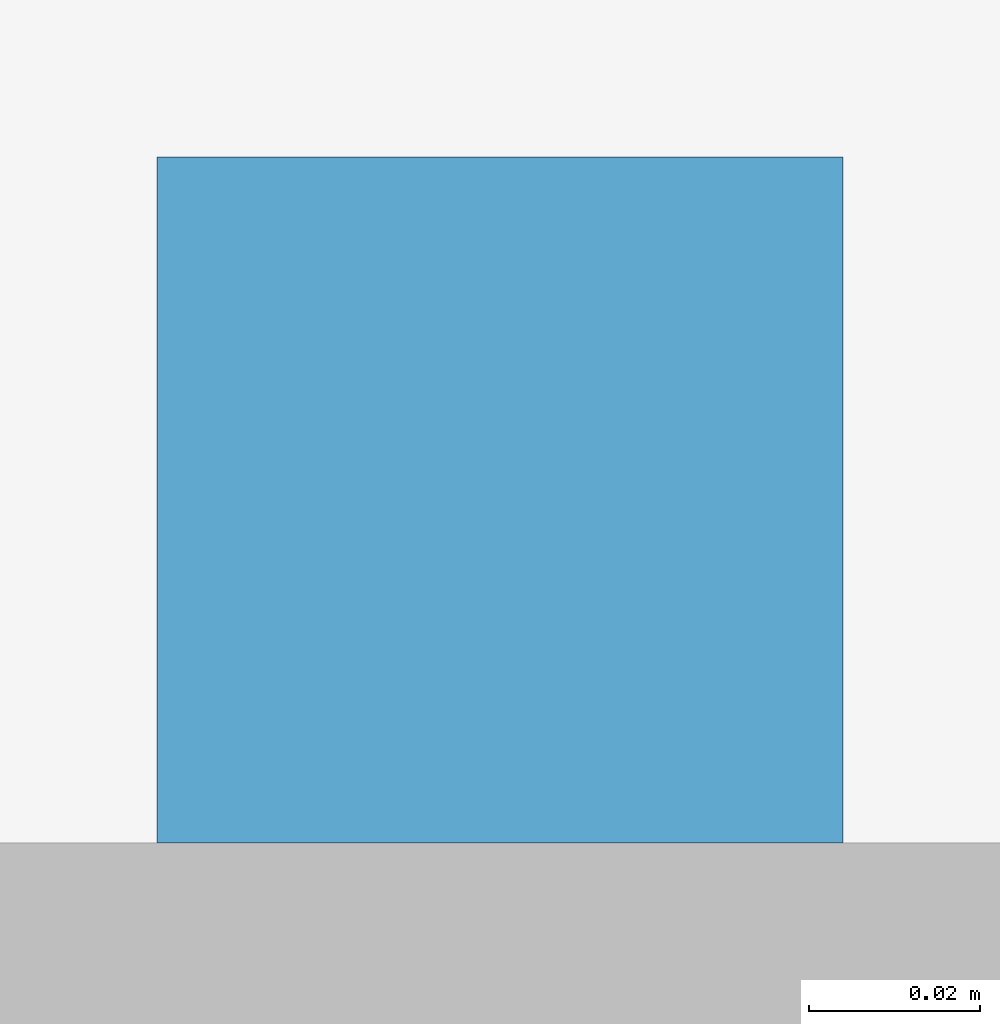
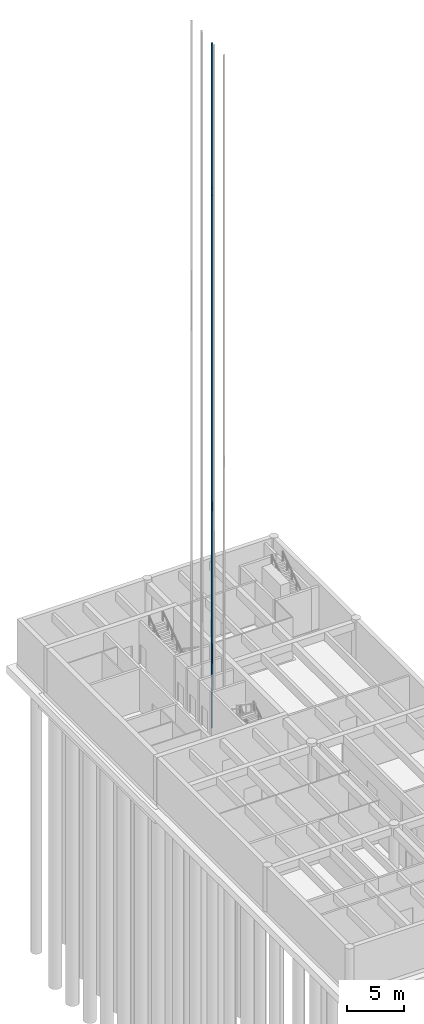
# One storey, part 17 of 24: 1 building element part.
"""IFC4 building model written with IfcOpenShell, lengths in metres."""

from ifc_helpers import new_model, si_unit, direction, frame, origin, origin_2d, place, context, subcontext, project, spatial, rectangle, extrude, element, save


model = new_model("IFC4")

# Units and contexts
model_context = context("Model", 3, precision=1e-05, world=origin(), true_north=direction((0.0, 1.0)))
body_context = subcontext(model_context, "Body", "Model", "MODEL_VIEW")
ifc_project = project(units=[si_unit("LENGTHUNIT", "METRE"), si_unit("AREAUNIT", "SQUARE_METRE"), si_unit("VOLUMEUNIT", "CUBIC_METRE"), si_unit("PLANEANGLEUNIT", "RADIAN"), si_unit("MASSUNIT", "GRAM", prefix="KILO")], contexts=[model_context])

# Site, building, storey
site_placement = place(None, origin())
site = spatial("IfcSite", under=ifc_project, at=site_placement, CompositionType="ELEMENT")
building_placement = place(site_placement, origin())
building = spatial("IfcBuilding", under=site, at=building_placement, Name="Fogon Plaza Fire Station and Headquarters Tower", CompositionType="ELEMENT")
storey_placement = place(building_placement, frame((0.0, 0.0, -4.800048828125)))
storey = spatial("IfcBuildingStorey", under=building, at=storey_placement, Name="B1", CompositionType="ELEMENT", Elevation=-4.800048828125)

# Building element part
building_element_part_placement = place(storey_placement, frame((74.52490234375, 42.31494140625, -1.19970703125), z_axis=(0.0, 0.0, 1.0), x_axis=(1.0, 0.0, 0.0)))
element("IfcBuildingElementPart", 1, at=building_element_part_placement, inside=storey, Name="Guide rail LP4 1", ObjectType="Guide rail", PredefinedType="USERDEFINED", context=body_context, shape_type="SweptSolid", body=[
    extrude(rectangle(XDim=0.080078125, YDim=0.080078125, at=origin_2d()), origin(), (0.0, 0.0, 1.0), 73.199951171875),
])

save(model, "model.ifc")
